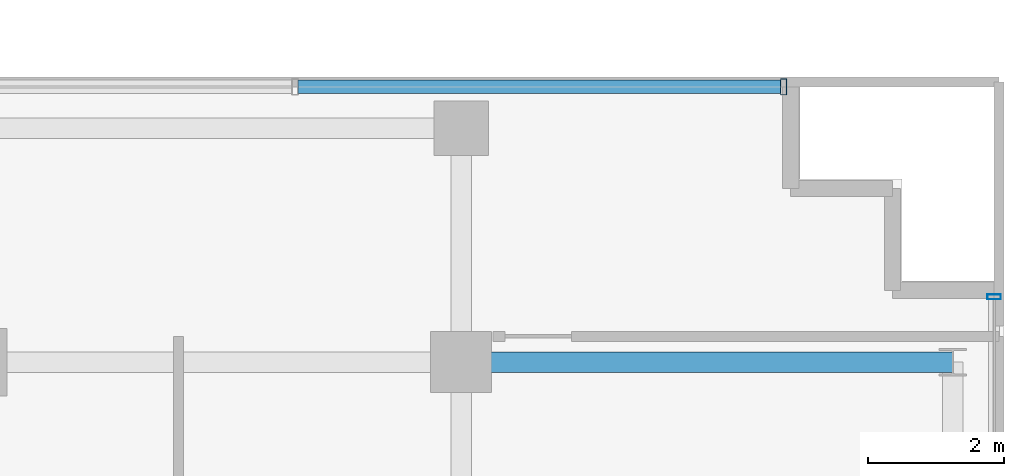
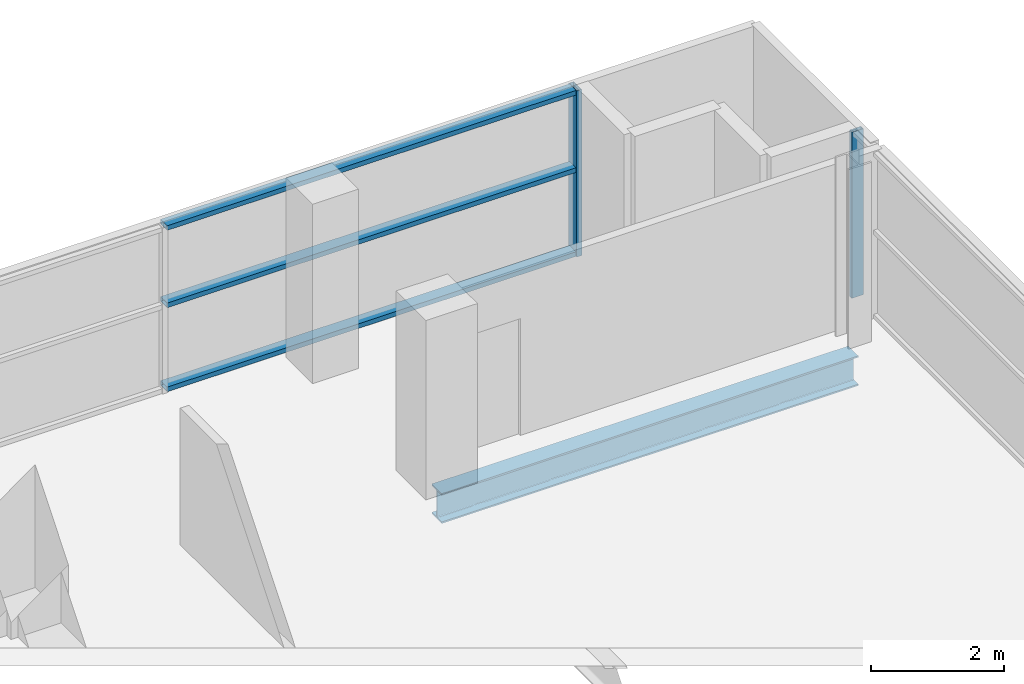
# One storey, part 13 of 23: 5 members, 1 beam, 2 elements without a shape of their own.
"""IFC4 building model written with IfcOpenShell, lengths in metres."""

from ifc_helpers import new_model, si_unit, direction, frame, origin, origin_2d, place, context, subcontext, project, spatial, hollow_rectangle, i_section, extrude, source, transform, mapped, material, layer, layer_set, material_profile, profile_set, type_object, element, aggregate, save


model = new_model("IFC4")

# Units and contexts
model_context = context("Model", 3, precision=1e-05, world=origin(), true_north=direction((0.0, 1.0)))
body_context = subcontext(model_context, "Body", "Model", "MODEL_VIEW")
ifc_project = project(units=[si_unit("LENGTHUNIT", "METRE"), si_unit("AREAUNIT", "SQUARE_METRE"), si_unit("VOLUMEUNIT", "CUBIC_METRE"), si_unit("PLANEANGLEUNIT", "RADIAN"), si_unit("MASSUNIT", "GRAM", prefix="KILO")], contexts=[model_context])

# Site, building, storey
site_placement = place(None, origin())
site = spatial("IfcSite", under=ifc_project, at=site_placement, CompositionType="ELEMENT")
building_placement = place(site_placement, origin())
building = spatial("IfcBuilding", under=site, at=building_placement, Name="Zarnakvel Exchange Tower", CompositionType="ELEMENT")
storey_placement = place(building_placement, frame((0.0, 0.0, 116.5)))
storey = spatial("IfcBuildingStorey", under=building, at=storey_placement, Name="L32", CompositionType="ELEMENT", Elevation=116.5)

# Beam
ifc_material_1 = material(Name="Steel S355", Category="steel")
ifc_material_profile_1 = material_profile(ifc_material_1, i_section(OverallWidth=0.300048828125, OverallDepth=0.550048828125, WebThickness=0.014892578125, FlangeThickness=0.029052734375, FilletRadius=0.027099609375, at=origin_2d()))
ifc_profile_set_1 = profile_set([ifc_material_profile_1], Name="Steel S355")
beam_type = type_object("IfcBeamType", Name="G-05", PredefinedType="BEAM", material=ifc_profile_set_1)
beam_placement = place(storey_placement, frame((21.60009765625, 13.5, -0.5), z_axis=(1.0, 0.0, 0.0), x_axis=(0.0, 1.0, 0.0)))
element("IfcBeam", 1, at=beam_placement, inside=storey, type_object=beam_type, Name="L32 Tower E-W Frame Beam", PredefinedType="BEAM", context=body_context, shape_type="SweptSolid", body=[
    extrude(i_section(OverallWidth=0.300048828125, OverallDepth=0.550048828125, WebThickness=0.014892578125, FlangeThickness=0.029052734375, FilletRadius=0.027099609375, at=origin_2d()), origin(), (0.0, 0.0, 1.0), 7.25),
])

# Curtain wall, member
ifc_material_2 = material(Name="Architectural Bronze Anodised Aluminium", Category="aluminium")
ifc_layer_1 = layer(ifc_material_2, 0.239990234375)
ifc_layer_set_1 = layer_set([ifc_layer_1], Name="Architectural Bronze Anodised Aluminium")
curtain_wall_type_1 = type_object("IfcCurtainWallType", Name="CW-02", PredefinedType="NOTDEFINED", material=ifc_layer_set_1)
curtain_wall_1_placement = place(storey_placement, origin())
curtain_wall_1 = element("IfcCurtainWall", 2, at=curtain_wall_1_placement, inside=storey, type_object=curtain_wall_type_1, Name="L32 Curtain Wall CW-L32-N1 (CW-02)", PredefinedType="NOTDEFINED")
ifc_material_profile_2 = material_profile(ifc_material_2, hollow_rectangle(XDim=0.239990234375, YDim=0.090087890625, WallThickness=0.006103515625, at=origin_2d()))
ifc_profile_set_2 = profile_set([ifc_material_profile_2], Name="Architectural Bronze Anodised Aluminium")
member_type_1 = type_object("IfcMemberType", Name="CWM-02", PredefinedType="MULLION", material=ifc_profile_set_2)
shared_shape_1 = source(origin(), body_context, "Body", "SweptSolid", [
    extrude(hollow_rectangle(XDim=0.239990234375, YDim=0.090087890625, WallThickness=0.006103515625, at=origin_2d()), origin(), (0.0, 0.0, 1.0), 3.054931640625),
])
member_1_placement = place(storey_placement, frame((26.35498046875, 17.56005859375, 0.0), z_axis=(0.0, 0.0, 1.0), x_axis=(0.0, 1.0, 0.0)))
member_1 = element("IfcMember", 3, at=member_1_placement, type_object=member_type_1, Name="CW-02 mullion 4", PredefinedType="MULLION", context=body_context, shape_type="MappedRepresentation", body=[
    mapped(shared_shape_1, transform((0.0, 0.0, 0.0), x_axis=(1.0, 0.0, 0.0), y_axis=(0.0, 1.0, 0.0), z_axis=(0.0, 0.0, 1.0), scale=1.0)),
])

ifc_layer_2 = layer(ifc_material_2, 0.199951171875)
ifc_layer_set_2 = layer_set([ifc_layer_2], Name="Architectural Bronze Anodised Aluminium")
curtain_wall_type_2 = type_object("IfcCurtainWallType", Name="CW-04", PredefinedType="NOTDEFINED", material=ifc_layer_set_2)
curtain_wall_2_placement = place(storey_placement, origin())
curtain_wall_2 = element("IfcCurtainWall", 4, at=curtain_wall_2_placement, inside=storey, type_object=curtain_wall_type_2, Name="L32 Curtain Wall CW-L32-E1 (CW-04)", PredefinedType="NOTDEFINED")
ifc_material_profile_3 = material_profile(ifc_material_2, hollow_rectangle(XDim=0.199951171875, YDim=0.074951171875, WallThickness=0.0048828125, at=origin_2d()))
ifc_profile_set_3 = profile_set([ifc_material_profile_3], Name="Architectural Bronze Anodised Aluminium")
member_type_2 = type_object("IfcMemberType", Name="CWM-04", PredefinedType="MULLION", material=ifc_profile_set_3)
shared_shape_2 = source(origin(), body_context, "Body", "SweptSolid", [
    extrude(hollow_rectangle(XDim=0.199951171875, YDim=0.074951171875, WallThickness=0.0048828125, at=origin_2d()), origin(), (0.0, 0.0, 1.0), 3.054931640625),
])
member_2_placement = place(storey_placement, frame((29.4599609375, 14.46240234375, 0.0), z_axis=(0.0, 0.0, 1.0), x_axis=(-1.0, 0.0, 0.0)))
member_2 = element("IfcMember", 5, at=member_2_placement, type_object=member_type_2, Name="CW-04 mullion 5", PredefinedType="MULLION", context=body_context, shape_type="MappedRepresentation", body=[
    mapped(shared_shape_2, transform((0.0, 0.0, 0.0), x_axis=(1.0, 0.0, 0.0), y_axis=(0.0, 1.0, 0.0), z_axis=(0.0, 0.0, 1.0), scale=1.0)),
])
aggregate(curtain_wall_2, [member_2])

# Member
ifc_material_profile_4 = material_profile(ifc_material_2, hollow_rectangle(XDim=0.199951171875, YDim=0.0849609375, WallThickness=0.0048828125, at=origin_2d()))
ifc_profile_set_4 = profile_set([ifc_material_profile_4], Name="Architectural Bronze Anodised Aluminium")
member_type_3 = type_object("IfcMemberType", Name="CWT-02", PredefinedType="USERDEFINED", material=ifc_profile_set_4)
shared_shape_3 = source(origin(), body_context, "Body", "SweptSolid", [
    extrude(hollow_rectangle(XDim=0.199951171875, YDim=0.0849609375, WallThickness=0.0048828125, at=origin_2d()), origin(), (0.0, 0.0, 1.0), 7.114990234375),
])
member_3_placement = place(storey_placement, frame((19.195068359375, 17.56005859375, 0.04248046875), z_axis=(1.0, 0.0, 0.0), x_axis=(0.0, 1.0, 0.0)))
member_3 = element("IfcMember", 6, at=member_3_placement, type_object=member_type_3, Name="CW-02 transom 3.1", ObjectType="TRANSOM", PredefinedType="USERDEFINED", context=body_context, shape_type="MappedRepresentation", body=[
    mapped(shared_shape_3, transform((0.0, 0.0, 0.0), x_axis=(1.0, 0.0, 0.0), y_axis=(0.0, 1.0, 0.0), z_axis=(0.0, 0.0, 1.0), scale=1.0)),
])

member_4_placement = place(storey_placement, frame((19.195068359375, 17.56005859375, 1.588623046875), z_axis=(1.0, 0.0, 0.0), x_axis=(0.0, 1.0, 0.0)))
member_4 = element("IfcMember", 7, at=member_4_placement, type_object=member_type_3, Name="CW-02 transom 3.2", ObjectType="TRANSOM", PredefinedType="USERDEFINED", context=body_context, shape_type="MappedRepresentation", body=[
    mapped(shared_shape_3, transform((0.0, 0.0, 0.0), x_axis=(1.0, 0.0, 0.0), y_axis=(0.0, 1.0, 0.0), z_axis=(0.0, 0.0, 1.0), scale=1.0)),
])

member_5_placement = place(storey_placement, frame((19.195068359375, 17.56005859375, 3.012451171875), z_axis=(1.0, 0.0, 0.0), x_axis=(0.0, 1.0, 0.0)))
member_5 = element("IfcMember", 8, at=member_5_placement, type_object=member_type_3, Name="CW-02 transom 3.3", ObjectType="TRANSOM", PredefinedType="USERDEFINED", context=body_context, shape_type="MappedRepresentation", body=[
    mapped(shared_shape_3, transform((0.0, 0.0, 0.0), x_axis=(1.0, 0.0, 0.0), y_axis=(0.0, 1.0, 0.0), z_axis=(0.0, 0.0, 1.0), scale=1.0)),
])

aggregate(curtain_wall_1, [member_1, member_3, member_4, member_5])

save(model, "model.ifc")
